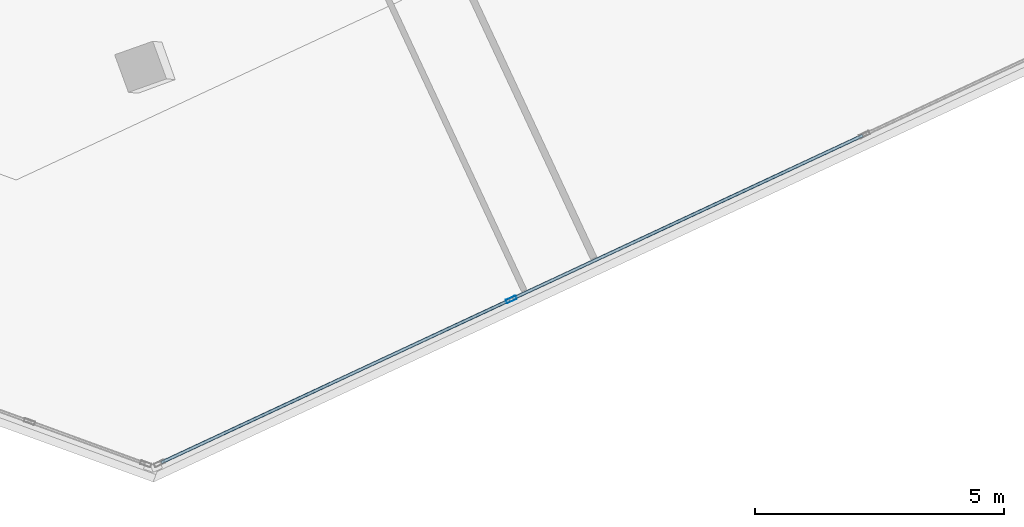
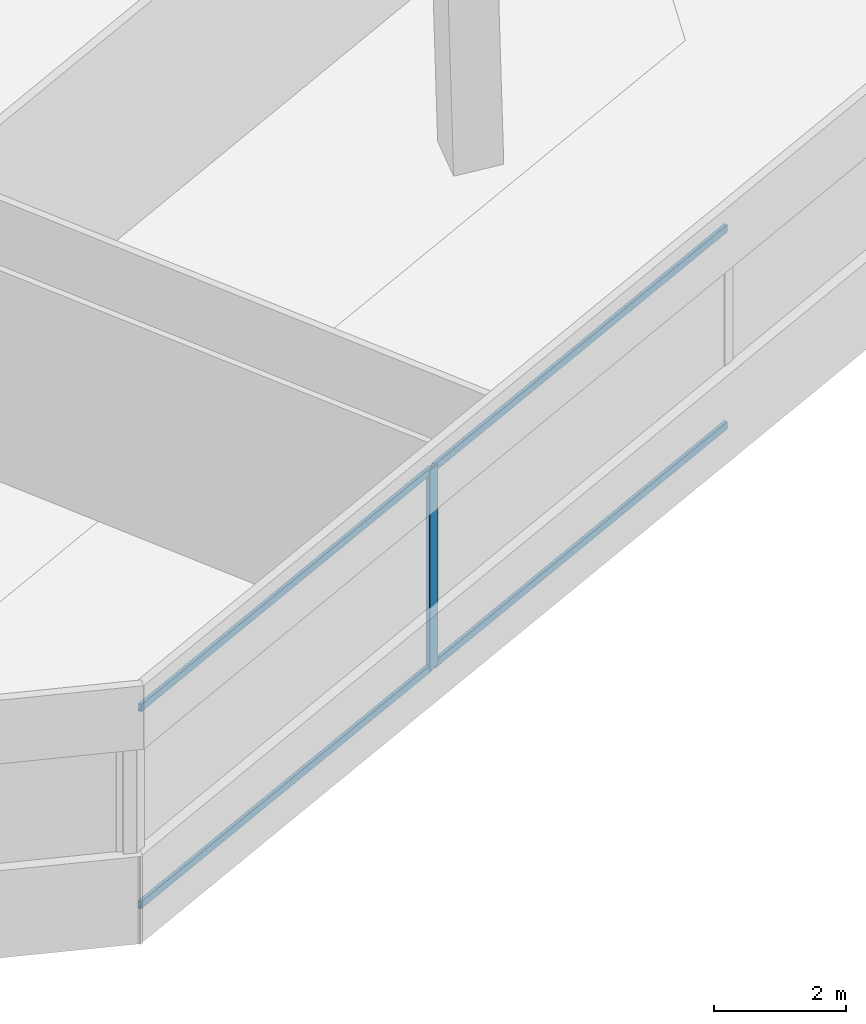
# One storey, part 3 of 16: 5 members, 1 element without a shape of its own.
"""IFC4 building model written with IfcOpenShell, lengths in metres."""

from ifc_helpers import new_model, si_unit, direction, frame, origin, origin_2d, place, context, subcontext, project, spatial, hollow_rectangle, extrude, source, transform, mapped, material, material_profile, profile_set, type_object, element, aggregate, save


model = new_model("IFC4")

# Units and contexts
model_context = context("Model", 3, precision=1e-05, world=origin(), true_north=direction((0.0, 1.0)))
body_context = subcontext(model_context, "Body", "Model", "MODEL_VIEW")
ifc_project = project(units=[si_unit("LENGTHUNIT", "METRE"), si_unit("AREAUNIT", "SQUARE_METRE"), si_unit("VOLUMEUNIT", "CUBIC_METRE"), si_unit("PLANEANGLEUNIT", "RADIAN"), si_unit("MASSUNIT", "GRAM", prefix="KILO")], contexts=[model_context])

# Site, building, storey
site_placement = place(None, origin())
site = spatial("IfcSite", under=ifc_project, at=site_placement, CompositionType="ELEMENT")
building_placement = place(site_placement, origin())
building = spatial("IfcBuilding", under=site, at=building_placement, Name="Torre Montelarca", CompositionType="ELEMENT")
storey_placement = place(building_placement, frame((0.0, 0.0, 345.0)))
storey = spatial("IfcBuildingStorey", under=building, at=storey_placement, Name="L78", CompositionType="ELEMENT", Elevation=345.0)

# Curtain wall, members
ifc_material_1 = material(Name="Insulated low-E laminated glass", Category="glass")
curtain_wall_type = type_object("IfcCurtainWallType", Name="CW-SYS-Z4", PredefinedType="USERDEFINED", material=ifc_material_1)
curtain_wall_placement = place(storey_placement, origin())
curtain_wall = element("IfcCurtainWall", 1, at=curtain_wall_placement, inside=storey, type_object=curtain_wall_type, Name="L78 Curtain Wall Run CW-T3-L78-E06-B1", ObjectType="UNITISED GLAZING", PredefinedType="USERDEFINED")
ifc_material_2 = material(Name="Anodised aluminium AA 6063-T6", Category="aluminium")
ifc_material_profile_1 = material_profile(ifc_material_2, hollow_rectangle(XDim=0.074951171875, YDim=0.219970703125, WallThickness=0.0048828125, InnerFilletRadius=0.0048828125, OuterFilletRadius=0.010009765625, at=origin_2d()), Name="ALU75X220X5", Category="aluminium")
ifc_profile_set_1 = profile_set([ifc_material_profile_1], Name="Anodised aluminium AA 6063-T6")
member_type_1 = type_object("IfcMemberType", Name="CWM-ALU220", PredefinedType="MULLION", material=ifc_profile_set_1)
shared_shape_1 = source(origin(), body_context, "Body", "SweptSolid", [
    extrude(hollow_rectangle(XDim=0.074951171875, YDim=0.219970703125, WallThickness=0.0048828125, InnerFilletRadius=0.0048828125, OuterFilletRadius=0.010009765625, at=origin_2d()), origin(), (0.0, 0.0, 1.0), 3.719970703125),
])
member_1_placement = place(storey_placement, frame((27.608642578125, 10.827880859375, 0.0), z_axis=(0.0, 0.0, 1.0), x_axis=(-0.422612053903, 0.906310681773, 0.0)))
member_1 = element("IfcMember", 2, at=member_1_placement, type_object=member_type_1, Name="CW mullion 2", PredefinedType="MULLION", context=body_context, shape_type="MappedRepresentation", body=[
    mapped(shared_shape_1, transform((0.0, 0.0, 0.0), scale=1.0)),
])
ifc_material_profile_2 = material_profile(ifc_material_2, hollow_rectangle(XDim=0.06494140625, YDim=0.139892578125, WallThickness=0.00390625, InnerFilletRadius=0.00390625, OuterFilletRadius=0.008056640625, at=origin_2d()), Name="ALU65X140X4", Category="aluminium")
ifc_profile_set_2 = profile_set([ifc_material_profile_2], Name="Anodised aluminium AA 6063-T6")
member_type_2 = type_object("IfcMemberType", Name="CWT-ALU140", PredefinedType="USERDEFINED", material=ifc_profile_set_2)
shared_shape_2 = source(origin(), body_context, "Body", "SweptSolid", [
    extrude(hollow_rectangle(XDim=0.06494140625, YDim=0.139892578125, WallThickness=0.00390625, InnerFilletRadius=0.00390625, OuterFilletRadius=0.008056640625, at=origin_2d()), origin(), (0.0, 0.0, 1.0), 7.71044921875),
])
member_2_placement = place(storey_placement, frame((20.586669921875, 7.5537109375, 0.032470703125), z_axis=(0.906309292094, 0.422615034119, 0.0), x_axis=(-0.422615034119, 0.906309292094, 0.0)))
member_2 = element("IfcMember", 3, at=member_2_placement, type_object=member_type_2, Name="CW transom 1.1", ObjectType="TRANSOM", PredefinedType="USERDEFINED", context=body_context, shape_type="MappedRepresentation", body=[
    mapped(shared_shape_2, transform((0.0, 0.0, 0.0), scale=1.0)),
])
member_3_placement = place(storey_placement, frame((20.586669921875, 7.5537109375, 3.6875), z_axis=(0.906309292094, 0.422615034119, 0.0), x_axis=(-0.422615034119, 0.906309292094, 0.0)))
member_3 = element("IfcMember", 4, at=member_3_placement, type_object=member_type_2, Name="CW transom 1.2", ObjectType="TRANSOM", PredefinedType="USERDEFINED", context=body_context, shape_type="MappedRepresentation", body=[
    mapped(shared_shape_2, transform((0.0, 0.0, 0.0), scale=1.0)),
])
shared_shape_3 = source(origin(), body_context, "Body", "SweptSolid", [
    extrude(hollow_rectangle(XDim=0.06494140625, YDim=0.139892578125, WallThickness=0.00390625, InnerFilletRadius=0.00390625, OuterFilletRadius=0.008056640625, at=origin_2d()), origin(), (0.0, 0.0, 1.0), 7.747802734375),
])
member_4_placement = place(storey_placement, frame((27.642578125, 10.84375, 0.032470703125), z_axis=(0.906307073306, 0.422619792337, 0.0), x_axis=(-0.422619792337, 0.906307073306, 0.0)))
member_4 = element("IfcMember", 5, at=member_4_placement, type_object=member_type_2, Name="CW transom 2.1", ObjectType="TRANSOM", PredefinedType="USERDEFINED", context=body_context, shape_type="MappedRepresentation", body=[
    mapped(shared_shape_3, transform((0.0, 0.0, 0.0), scale=1.0)),
])
member_5_placement = place(storey_placement, frame((27.642578125, 10.84375, 3.6875), z_axis=(0.906307073306, 0.422619792337, 0.0), x_axis=(-0.422619792337, 0.906307073306, 0.0)))
member_5 = element("IfcMember", 6, at=member_5_placement, type_object=member_type_2, Name="CW transom 2.2", ObjectType="TRANSOM", PredefinedType="USERDEFINED", context=body_context, shape_type="MappedRepresentation", body=[
    mapped(shared_shape_3, transform((0.0, 0.0, 0.0), scale=1.0)),
])
aggregate(curtain_wall, [member_1, member_2, member_3, member_4, member_5])

save(model, "model.ifc")
